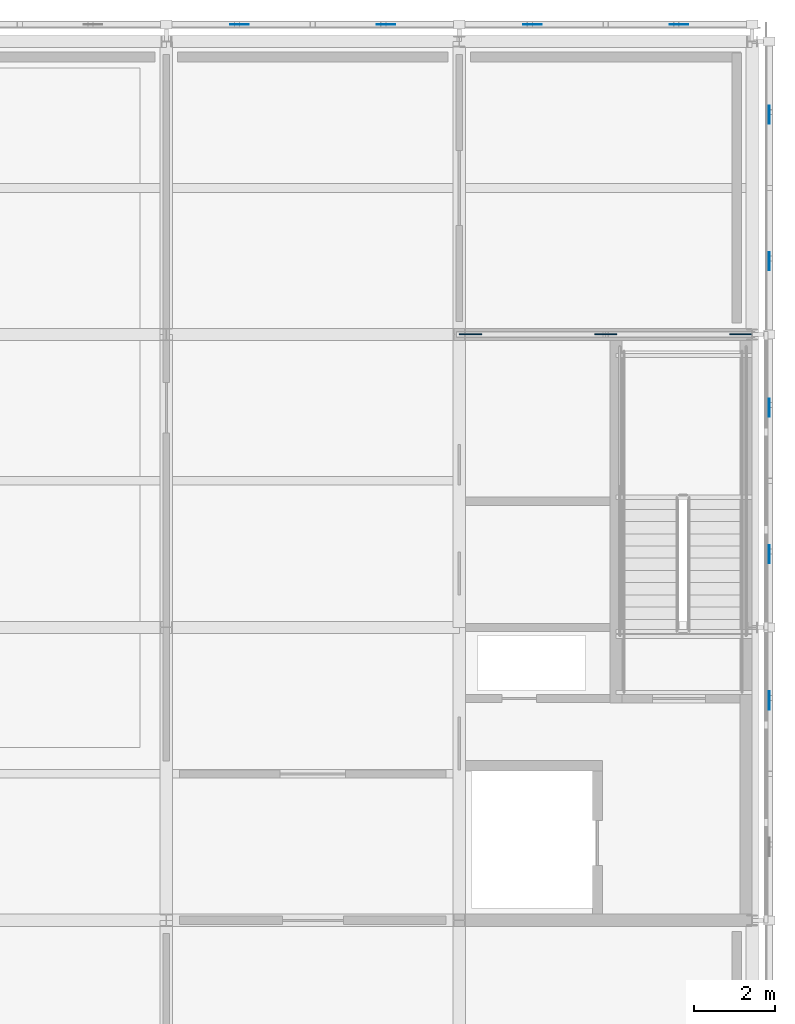
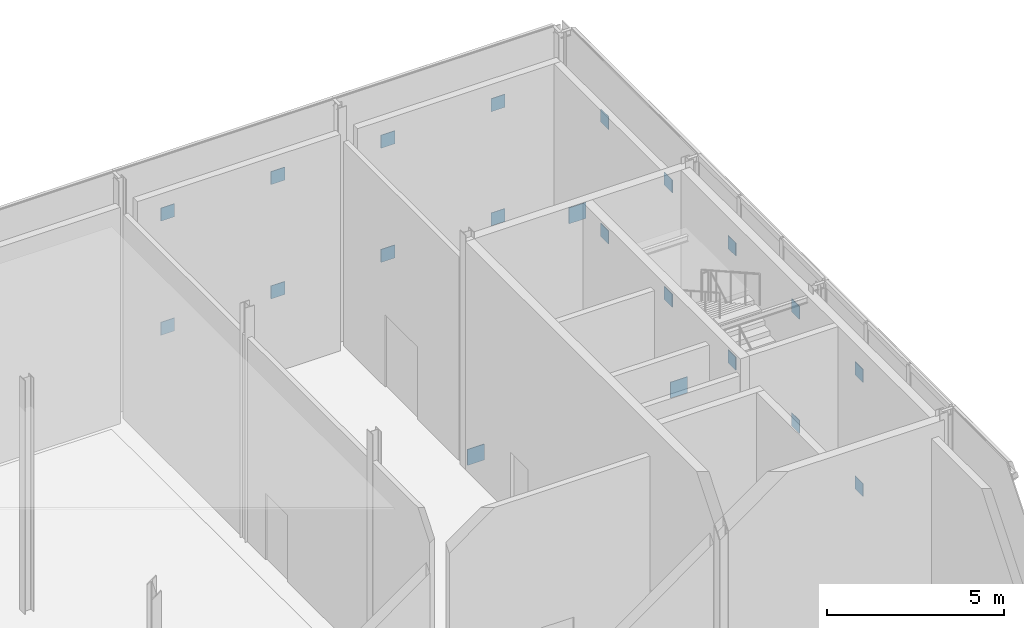
# One storey, part 66 of 76: 21 plates.
"""IFC4 building model written with IfcOpenShell, lengths in metres."""

from ifc_helpers import new_model, si_unit, direction, frame, origin, origin_2d, place, context, subcontext, project, spatial, rectangle, extrude, material, layer, layer_set, type_object, element, save


model = new_model("IFC4")

# Units and contexts
model_context = context("Model", 3, precision=1e-05, world=origin(), true_north=direction((0.0, 1.0)))
body_context = subcontext(model_context, "Body", "Model", "MODEL_VIEW")
ifc_project = project(units=[si_unit("LENGTHUNIT", "METRE"), si_unit("AREAUNIT", "SQUARE_METRE"), si_unit("VOLUMEUNIT", "CUBIC_METRE"), si_unit("PLANEANGLEUNIT", "RADIAN"), si_unit("MASSUNIT", "GRAM", prefix="KILO")], contexts=[model_context])

# Site, building, storey
site_placement = place(None, origin())
site = spatial("IfcSite", under=ifc_project, at=site_placement, CompositionType="ELEMENT")
building_placement = place(site_placement, origin())
building = spatial("IfcBuilding", under=site, at=building_placement, Name="Zlatovets Crest Museum", CompositionType="ELEMENT")
storey_placement = place(building_placement, frame((0.0, 0.0, 17.10009765625)))
storey = spatial("IfcBuildingStorey", under=building, at=storey_placement, Name="L04", CompositionType="ELEMENT", Elevation=17.10009765625)

# Plates
ifc_material = material(Name="Structural steel S355J2", Category="steel")
ifc_layer_1 = layer(ifc_material, 0.02490234375)
ifc_layer_set_1 = layer_set([ifc_layer_1], Name="Structural steel S355J2")
plate_type_1 = type_object("IfcPlateType", Name="Gusset_GP-01", PredefinedType="USERDEFINED", material=ifc_layer_set_1)
for number, where, z_axis, x_axis, name in (
    (1, (101.080078125, 108.0, 0.0048828125), (0.0, 0.0, 1.0), (1.0, 0.0, 0.0), "V1 L04 Brace End Gusset Plate GP-01"),
    (2, (107.719970703125, 108.0, 0.0048828125), (0.0, 0.0, 1.0), (1.0, 0.0, 0.0), "V1 L04 Brace End Gusset Plate GP-01"),
    (3, (104.39990234375, 108.0, 7.19482421875), (0.0, 0.0, 1.0), (1.0, 0.0, 0.0), "V1 L04 Brace End Gusset Plate GP-01"),
):
    element("IfcPlate", number, at=place(storey_placement, frame(where, z_axis=z_axis, x_axis=x_axis)), inside=storey, type_object=plate_type_1, Name=name, ObjectType="GUSSET", PredefinedType="USERDEFINED", context=body_context, shape_type="SweptSolid", body=[
        extrude(rectangle(XDim=0.550048828125, YDim=0.02490234375, at=origin_2d()), origin(), (0.0, 0.0, 1.0), 0.550048828125),
    ])
ifc_layer_2 = layer(ifc_material, 0.02001953125)
ifc_layer_set_2 = layer_set([ifc_layer_2], Name="Structural steel S355J2")
plate_type_2 = type_object("IfcPlateType", Name="Gusset_GP-04", PredefinedType="USERDEFINED", material=ifc_layer_set_2)
for number, where, z_axis, x_axis, name in (
    (4, (108.419921875, 99.0, 1.85009765625), (0.0, 0.0, 1.0), (1.0, 0.0, 0.0), "X-Brace Crossing Node Gusset Plate GP-04"),
    (5, (108.419921875, 99.0, 5.7998046875), (0.0, 0.0, 1.0), (1.0, 0.0, 0.0), "X-Brace Crossing Node Gusset Plate GP-04"),
    (6, (108.419921875, 102.60009765625, 1.85009765625), (0.0, 0.0, 1.0), (1.0, 0.0, 0.0), "X-Brace Crossing Node Gusset Plate GP-04"),
    (7, (108.419921875, 106.199951171875, 1.85009765625), (0.0, 0.0, 1.0), (1.0, 0.0, 0.0), "X-Brace Crossing Node Gusset Plate GP-04"),
    (8, (108.419921875, 102.60009765625, 5.7998046875), (0.0, 0.0, 1.0), (1.0, 0.0, 0.0), "X-Brace Crossing Node Gusset Plate GP-04"),
    (9, (108.419921875, 106.199951171875, 5.7998046875), (0.0, 0.0, 1.0), (1.0, 0.0, 0.0), "X-Brace Crossing Node Gusset Plate GP-04"),
    (10, (108.419921875, 109.800048828125, 1.85009765625), (0.0, 0.0, 1.0), (1.0, 0.0, 0.0), "X-Brace Crossing Node Gusset Plate GP-04"),
    (11, (108.419921875, 113.39990234375, 1.85009765625), (0.0, 0.0, 1.0), (1.0, 0.0, 0.0), "X-Brace Crossing Node Gusset Plate GP-04"),
    (12, (108.419921875, 109.800048828125, 5.7998046875), (0.0, 0.0, 1.0), (1.0, 0.0, 0.0), "X-Brace Crossing Node Gusset Plate GP-04"),
    (13, (108.419921875, 113.39990234375, 5.7998046875), (0.0, 0.0, 1.0), (1.0, 0.0, 0.0), "X-Brace Crossing Node Gusset Plate GP-04"),
):
    element("IfcPlate", number, at=place(storey_placement, frame(where, z_axis=z_axis, x_axis=x_axis)), inside=storey, type_object=plate_type_2, Name=name, ObjectType="GUSSET", PredefinedType="USERDEFINED", context=body_context, shape_type="SweptSolid", body=[
        extrude(rectangle(XDim=0.02001953125, YDim=0.449951171875, at=origin_2d()), origin(), (0.0, 0.0, 1.0), 0.449951171875),
    ])
for number, where, z_axis, x_axis, name in (
    (14, (106.199951171875, 115.6201171875, 1.85009765625), (0.0, 0.0, 1.0), (1.0, 0.0, 0.0), "X-Brace Crossing Node Gusset Plate GP-04"),
    (15, (102.60009765625, 115.6201171875, 1.85009765625), (0.0, 0.0, 1.0), (1.0, 0.0, 0.0), "X-Brace Crossing Node Gusset Plate GP-04"),
    (16, (106.199951171875, 115.6201171875, 5.7998046875), (0.0, 0.0, 1.0), (1.0, 0.0, 0.0), "X-Brace Crossing Node Gusset Plate GP-04"),
    (17, (102.60009765625, 115.6201171875, 5.7998046875), (0.0, 0.0, 1.0), (1.0, 0.0, 0.0), "X-Brace Crossing Node Gusset Plate GP-04"),
    (18, (99.0, 115.6201171875, 1.85009765625), (0.0, 0.0, 1.0), (1.0, 0.0, 0.0), "X-Brace Crossing Node Gusset Plate GP-04"),
    (19, (95.39990234375, 115.6201171875, 1.85009765625), (0.0, 0.0, 1.0), (1.0, 0.0, 0.0), "X-Brace Crossing Node Gusset Plate GP-04"),
    (20, (99.0, 115.6201171875, 5.7998046875), (0.0, 0.0, 1.0), (1.0, 0.0, 0.0), "X-Brace Crossing Node Gusset Plate GP-04"),
    (21, (95.39990234375, 115.6201171875, 5.7998046875), (0.0, 0.0, 1.0), (1.0, 0.0, 0.0), "X-Brace Crossing Node Gusset Plate GP-04"),
):
    element("IfcPlate", number, at=place(storey_placement, frame(where, z_axis=z_axis, x_axis=x_axis)), inside=storey, type_object=plate_type_2, Name=name, ObjectType="GUSSET", PredefinedType="USERDEFINED", context=body_context, shape_type="SweptSolid", body=[
        extrude(rectangle(XDim=0.449951171875, YDim=0.02001953125, at=origin_2d()), origin(), (0.0, 0.0, 1.0), 0.449951171875),
    ])

save(model, "model.ifc")
